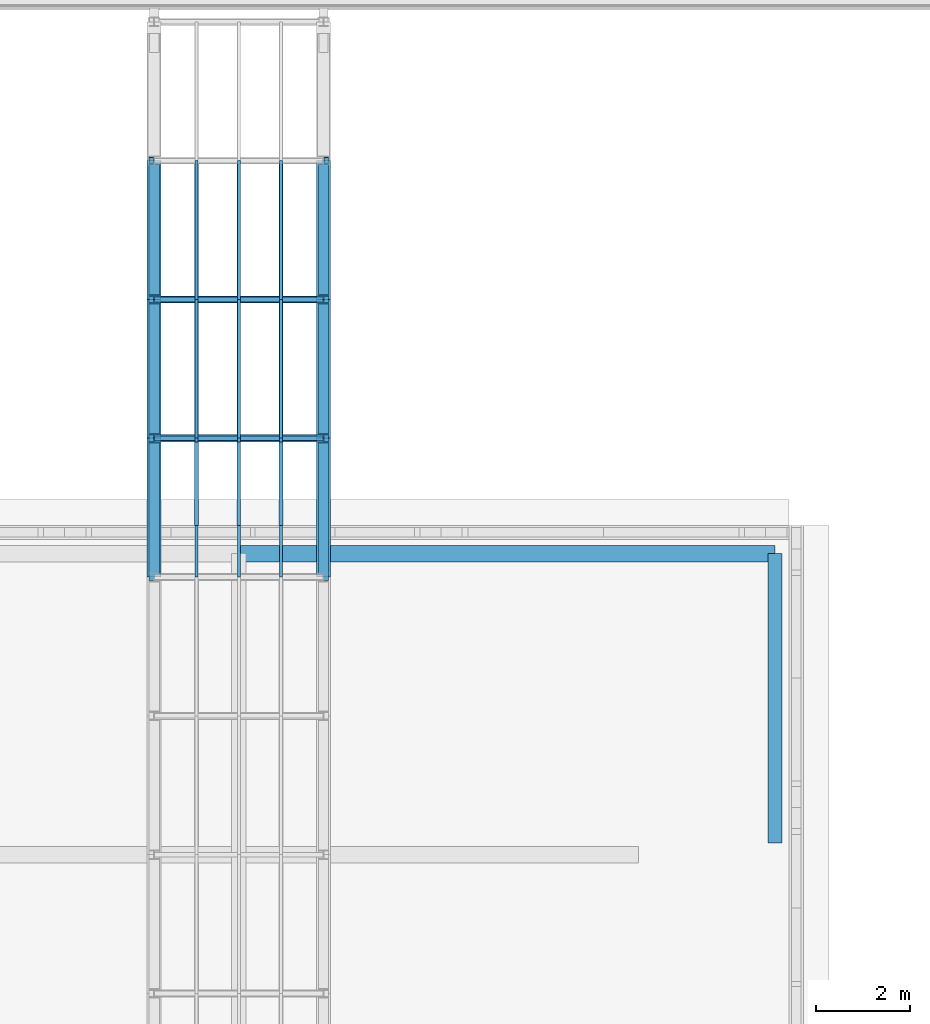
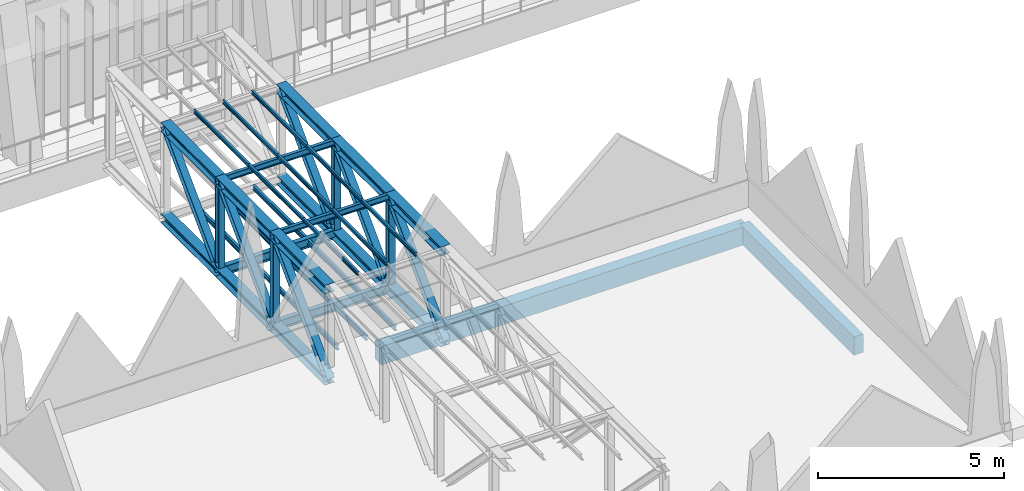
# One storey, part 66 of 141: 33 members, 13 beams.
"""IFC4 building model written with IfcOpenShell, lengths in metres."""

from ifc_helpers import new_model, si_unit, direction, frame, origin, origin_2d, place, context, subcontext, project, spatial, rectangle, i_section, extrude, material, material_profile, profile_set, type_object, element, save


model = new_model("IFC4")

# Units and contexts
model_context = context("Model", 3, precision=1e-05, world=origin(), true_north=direction((0.0, 1.0)))
body_context = subcontext(model_context, "Body", "Model", "MODEL_VIEW")
ifc_project = project(units=[si_unit("LENGTHUNIT", "METRE"), si_unit("AREAUNIT", "SQUARE_METRE"), si_unit("VOLUMEUNIT", "CUBIC_METRE"), si_unit("PLANEANGLEUNIT", "RADIAN"), si_unit("MASSUNIT", "GRAM", prefix="KILO")], contexts=[model_context])

# Site, building, storey
site_placement = place(None, origin())
site = spatial("IfcSite", under=ifc_project, at=site_placement, CompositionType="ELEMENT")
building_placement = place(site_placement, origin())
building = spatial("IfcBuilding", under=site, at=building_placement, Name="Lantern Court Media Centre", CompositionType="ELEMENT")
storey_placement = place(building_placement, frame((0.0, 0.0, 9.60009765625)))
storey = spatial("IfcBuildingStorey", under=building, at=storey_placement, Name="L02", CompositionType="ELEMENT", Elevation=9.60009765625)

# Members
ifc_material_1 = material(Name="Steel S355J2 (EN 10025-2)", Category="steel")
ifc_material_profile_1 = material_profile(ifc_material_1, i_section(OverallWidth=0.300048828125, OverallDepth=0.2900390625, WebThickness=0.008544921875, FlangeThickness=0.013916015625, FilletRadius=0.027099609375, at=origin_2d()), Name="HEA 300")
ifc_profile_set_1 = profile_set([ifc_material_profile_1], Name="Steel S355J2 (EN 10025-2)")
member_type_1 = type_object("IfcMemberType", Name="Court bridge chord HEA 300", PredefinedType="CHORD", material=ifc_profile_set_1)
for number, where, z_axis, x_axis, name in (
    (1, (50.199951171875, 85.89990234375, -0.25), (0.0, 1.0, 0.0), (-1.0, 0.0, 0.0), "Court bridge truss 1 bottom chord 9"),
    (2, (50.199951171875, 85.89990234375, 2.75), (0.0, 1.0, 0.0), (-1.0, 0.0, 0.0), "Court bridge truss 1 top chord 9"),
):
    element("IfcMember", number, at=place(storey_placement, frame(where, z_axis=z_axis, x_axis=x_axis)), inside=storey, type_object=member_type_1, Name=name, PredefinedType="CHORD", context=body_context, shape_type="SweptSolid", body=[
        extrude(i_section(OverallWidth=0.300048828125, OverallDepth=0.2900390625, WebThickness=0.008544921875, FlangeThickness=0.013916015625, FilletRadius=0.027099609375, at=origin_2d()), origin(), (0.0, 0.0, 1.0), 2.9501953125),
    ])
for number, where, z_axis, x_axis, name in (
    (3, (50.199951171875, 88.85009765625, -0.25), (0.0, 1.0, 0.0), (-1.0, 0.0, 0.0), "Court bridge truss 1 bottom chord 10"),
    (4, (50.199951171875, 88.85009765625, 2.75), (0.0, 1.0, 0.0), (-1.0, 0.0, 0.0), "Court bridge truss 1 top chord 10"),
    (5, (50.199951171875, 91.800048828125, -0.25), (0.0, 1.0, 0.0), (-1.0, 0.0, 0.0), "Court bridge truss 1 bottom chord 11"),
    (6, (50.199951171875, 91.800048828125, 2.75), (0.0, 1.0, 0.0), (-1.0, 0.0, 0.0), "Court bridge truss 1 top chord 11"),
):
    element("IfcMember", number, at=place(storey_placement, frame(where, z_axis=z_axis, x_axis=x_axis)), inside=storey, type_object=member_type_1, Name=name, PredefinedType="CHORD", context=body_context, shape_type="SweptSolid", body=[
        extrude(i_section(OverallWidth=0.300048828125, OverallDepth=0.2900390625, WebThickness=0.008544921875, FlangeThickness=0.013916015625, FilletRadius=0.027099609375, at=origin_2d()), origin(), (0.0, 0.0, 1.0), 2.949951171875),
    ])
for number, where, z_axis, x_axis, name in (
    (7, (53.800048828125, 85.89990234375, -0.25), (0.0, 1.0, 0.0), (-1.0, 0.0, 0.0), "Court bridge truss 2 bottom chord 9"),
    (8, (53.800048828125, 85.89990234375, 2.75), (0.0, 1.0, 0.0), (-1.0, 0.0, 0.0), "Court bridge truss 2 top chord 9"),
):
    element("IfcMember", number, at=place(storey_placement, frame(where, z_axis=z_axis, x_axis=x_axis)), inside=storey, type_object=member_type_1, Name=name, PredefinedType="CHORD", context=body_context, shape_type="SweptSolid", body=[
        extrude(i_section(OverallWidth=0.300048828125, OverallDepth=0.2900390625, WebThickness=0.008544921875, FlangeThickness=0.013916015625, FilletRadius=0.027099609375, at=origin_2d()), origin(), (0.0, 0.0, 1.0), 2.9501953125),
    ])
for number, where, z_axis, x_axis, name in (
    (9, (53.800048828125, 88.85009765625, -0.25), (0.0, 1.0, 0.0), (-1.0, 0.0, 0.0), "Court bridge truss 2 bottom chord 10"),
    (10, (53.800048828125, 88.85009765625, 2.75), (0.0, 1.0, 0.0), (-1.0, 0.0, 0.0), "Court bridge truss 2 top chord 10"),
    (11, (53.800048828125, 91.800048828125, -0.25), (0.0, 1.0, 0.0), (-1.0, 0.0, 0.0), "Court bridge truss 2 bottom chord 11"),
    (12, (53.800048828125, 91.800048828125, 2.75), (0.0, 1.0, 0.0), (-1.0, 0.0, 0.0), "Court bridge truss 2 top chord 11"),
):
    element("IfcMember", number, at=place(storey_placement, frame(where, z_axis=z_axis, x_axis=x_axis)), inside=storey, type_object=member_type_1, Name=name, PredefinedType="CHORD", context=body_context, shape_type="SweptSolid", body=[
        extrude(i_section(OverallWidth=0.300048828125, OverallDepth=0.2900390625, WebThickness=0.008544921875, FlangeThickness=0.013916015625, FilletRadius=0.027099609375, at=origin_2d()), origin(), (0.0, 0.0, 1.0), 2.949951171875),
    ])
ifc_material_profile_2 = material_profile(ifc_material_1, i_section(OverallWidth=0.219970703125, OverallDepth=0.2099609375, WebThickness=0.007080078125, FlangeThickness=0.010986328125, FilletRadius=0.01806640625, at=origin_2d()), Name="HEA 220")
ifc_profile_set_2 = profile_set([ifc_material_profile_2], Name="Steel S355J2 (EN 10025-2)")
member_type_2 = type_object("IfcMemberType", Name="Court bridge diagonal HEA 220", PredefinedType="BRACE", material=ifc_profile_set_2)
for number, where, z_axis, x_axis, name in (
    (13, (50.199951171875, 85.89990234375, -0.25), (0.0, 0.701163551131, 0.713000473047), (-1.0, 0.0, 0.0), "Court bridge truss 1 diagonal 9"),
    (14, (50.199951171875, 88.85009765625, -0.25), (0.0, 0.701134051624, 0.713029481615), (-1.0, 0.0, 0.0), "Court bridge truss 1 diagonal 10"),
    (15, (50.199951171875, 91.800048828125, -0.25), (0.0, 0.701134051624, 0.713029481615), (-1.0, 0.0, 0.0), "Court bridge truss 1 diagonal 11"),
    (16, (53.800048828125, 85.89990234375, -0.25), (0.0, 0.701163551131, 0.713000473047), (-1.0, 0.0, 0.0), "Court bridge truss 2 diagonal 9"),
    (17, (53.800048828125, 88.85009765625, -0.25), (0.0, 0.701134051624, 0.713029481615), (-1.0, 0.0, 0.0), "Court bridge truss 2 diagonal 10"),
    (18, (53.800048828125, 91.800048828125, -0.25), (0.0, 0.701134051624, 0.713029481615), (-1.0, 0.0, 0.0), "Court bridge truss 2 diagonal 11"),
):
    element("IfcMember", number, at=place(storey_placement, frame(where, z_axis=z_axis, x_axis=x_axis)), inside=storey, type_object=member_type_2, Name=name, PredefinedType="BRACE", context=body_context, shape_type="SweptSolid", body=[
        extrude(i_section(OverallWidth=0.219970703125, OverallDepth=0.2099609375, WebThickness=0.007080078125, FlangeThickness=0.010986328125, FilletRadius=0.01806640625, at=origin_2d()), origin(), (0.0, 0.0, 1.0), 4.20751953125),
    ])

# Beams
ifc_material_profile_3 = material_profile(ifc_material_1, i_section(OverallWidth=0.14990234375, OverallDepth=0.300048828125, WebThickness=0.007080078125, FlangeThickness=0.0107421875, FilletRadius=0.014892578125, at=origin_2d()), Name="IPE 300")
ifc_profile_set_3 = profile_set([ifc_material_profile_3], Name="Steel S355J2 (EN 10025-2)")
beam_type_1 = type_object("IfcBeamType", Name="Court bridge floor beam IPE 300", PredefinedType="BEAM", material=ifc_profile_set_3)
for number, where, z_axis, x_axis, name in (
    (19, (50.199951171875, 88.85009765625, -0.25), (1.0, 0.0, 0.0), (0.0, 1.0, 0.0), "Court bridge floor beam 10"),
    (20, (50.199951171875, 91.800048828125, -0.25), (1.0, 0.0, 0.0), (0.0, 1.0, 0.0), "Court bridge floor beam 11"),
):
    element("IfcBeam", number, at=place(storey_placement, frame(where, z_axis=z_axis, x_axis=x_axis)), inside=storey, type_object=beam_type_1, Name=name, PredefinedType="BEAM", context=body_context, shape_type="SweptSolid", body=[
        extrude(i_section(OverallWidth=0.14990234375, OverallDepth=0.300048828125, WebThickness=0.007080078125, FlangeThickness=0.0107421875, FilletRadius=0.014892578125, at=origin_2d()), origin(), (0.0, 0.0, 1.0), 3.60009765625),
    ])
ifc_material_profile_4 = material_profile(ifc_material_1, i_section(OverallWidth=0.08203125, OverallDepth=0.159912109375, WebThickness=0.0048828125, FlangeThickness=0.00732421875, FilletRadius=0.009033203125, at=origin_2d()), Name="IPE 160")
ifc_profile_set_4 = profile_set([ifc_material_profile_4], Name="Steel S355J2 (EN 10025-2)")
beam_type_2 = type_object("IfcBeamType", Name="Court bridge joist IPE 160", PredefinedType="JOIST", material=ifc_profile_set_4)
beam_1_placement = place(storey_placement, frame((51.10009765625, 87.0, -0.18017578125), z_axis=(0.0, 1.0, 0.0), x_axis=(-1.0, 0.0, 0.0)))
element("IfcBeam", 21, at=beam_1_placement, inside=storey, type_object=beam_type_2, Name="Court bridge joist 1-9", PredefinedType="JOIST", context=body_context, shape_type="SweptSolid", body=[
    extrude(i_section(OverallWidth=0.08203125, OverallDepth=0.159912109375, WebThickness=0.0048828125, FlangeThickness=0.00732421875, FilletRadius=0.009033203125, at=origin_2d()), origin(), (0.0, 0.0, 1.0), 1.77490234375),
])
for number, where, z_axis, x_axis, name in (
    (22, (51.10009765625, 88.925048828125, -0.18017578125), (0.0, 1.0, 0.0), (-1.0, 0.0, 0.0), "Court bridge joist 1-10"),
    (23, (51.10009765625, 91.875, -0.18017578125), (0.0, 1.0, 0.0), (-1.0, 0.0, 0.0), "Court bridge joist 1-11"),
):
    element("IfcBeam", number, at=place(storey_placement, frame(where, z_axis=z_axis, x_axis=x_axis)), inside=storey, type_object=beam_type_2, Name=name, PredefinedType="JOIST", context=body_context, shape_type="SweptSolid", body=[
        extrude(i_section(OverallWidth=0.08203125, OverallDepth=0.159912109375, WebThickness=0.0048828125, FlangeThickness=0.00732421875, FilletRadius=0.009033203125, at=origin_2d()), origin(), (0.0, 0.0, 1.0), 2.800048828125),
    ])
beam_2_placement = place(storey_placement, frame((52.0, 87.0, -0.18017578125), z_axis=(0.0, 1.0, 0.0), x_axis=(-1.0, 0.0, 0.0)))
element("IfcBeam", 24, at=beam_2_placement, inside=storey, type_object=beam_type_2, Name="Court bridge joist 2-9", PredefinedType="JOIST", context=body_context, shape_type="SweptSolid", body=[
    extrude(i_section(OverallWidth=0.08203125, OverallDepth=0.159912109375, WebThickness=0.0048828125, FlangeThickness=0.00732421875, FilletRadius=0.009033203125, at=origin_2d()), origin(), (0.0, 0.0, 1.0), 1.77490234375),
])
for number, where, z_axis, x_axis, name in (
    (25, (52.0, 88.925048828125, -0.18017578125), (0.0, 1.0, 0.0), (-1.0, 0.0, 0.0), "Court bridge joist 2-10"),
    (26, (52.0, 91.875, -0.18017578125), (0.0, 1.0, 0.0), (-1.0, 0.0, 0.0), "Court bridge joist 2-11"),
):
    element("IfcBeam", number, at=place(storey_placement, frame(where, z_axis=z_axis, x_axis=x_axis)), inside=storey, type_object=beam_type_2, Name=name, PredefinedType="JOIST", context=body_context, shape_type="SweptSolid", body=[
        extrude(i_section(OverallWidth=0.08203125, OverallDepth=0.159912109375, WebThickness=0.0048828125, FlangeThickness=0.00732421875, FilletRadius=0.009033203125, at=origin_2d()), origin(), (0.0, 0.0, 1.0), 2.800048828125),
    ])
beam_3_placement = place(storey_placement, frame((52.89990234375, 87.0, -0.18017578125), z_axis=(0.0, 1.0, 0.0), x_axis=(-1.0, 0.0, 0.0)))
element("IfcBeam", 27, at=beam_3_placement, inside=storey, type_object=beam_type_2, Name="Court bridge joist 3-9", PredefinedType="JOIST", context=body_context, shape_type="SweptSolid", body=[
    extrude(i_section(OverallWidth=0.08203125, OverallDepth=0.159912109375, WebThickness=0.0048828125, FlangeThickness=0.00732421875, FilletRadius=0.009033203125, at=origin_2d()), origin(), (0.0, 0.0, 1.0), 1.77490234375),
])
for number, where, z_axis, x_axis, name in (
    (28, (52.89990234375, 88.925048828125, -0.18017578125), (0.0, 1.0, 0.0), (-1.0, 0.0, 0.0), "Court bridge joist 3-10"),
    (29, (52.89990234375, 91.875, -0.18017578125), (0.0, 1.0, 0.0), (-1.0, 0.0, 0.0), "Court bridge joist 3-11"),
):
    element("IfcBeam", number, at=place(storey_placement, frame(where, z_axis=z_axis, x_axis=x_axis)), inside=storey, type_object=beam_type_2, Name=name, PredefinedType="JOIST", context=body_context, shape_type="SweptSolid", body=[
        extrude(i_section(OverallWidth=0.08203125, OverallDepth=0.159912109375, WebThickness=0.0048828125, FlangeThickness=0.00732421875, FilletRadius=0.009033203125, at=origin_2d()), origin(), (0.0, 0.0, 1.0), 2.800048828125),
    ])

# Members
ifc_material_profile_5 = material_profile(ifc_material_1, i_section(OverallWidth=0.06396484375, OverallDepth=0.1201171875, WebThickness=0.00439453125, FlangeThickness=0.00634765625, FilletRadius=0.007080078125, at=origin_2d()), Name="IPE 120")
ifc_profile_set_5 = profile_set([ifc_material_profile_5], Name="Steel S355J2 (EN 10025-2)")
member_type_3 = type_object("IfcMemberType", Name="Court bridge purlin IPE 120", PredefinedType="PURLIN", material=ifc_profile_set_5)
member_1_placement = place(storey_placement, frame((51.10009765625, 85.89990234375, 2.909912109375), z_axis=(0.0, 1.0, 0.0), x_axis=(-1.0, 0.0, 0.0)))
element("IfcMember", 30, at=member_1_placement, inside=storey, type_object=member_type_3, Name="Court bridge purlin 1-9", PredefinedType="PURLIN", context=body_context, shape_type="SweptSolid", body=[
    extrude(i_section(OverallWidth=0.06396484375, OverallDepth=0.1201171875, WebThickness=0.00439453125, FlangeThickness=0.00634765625, FilletRadius=0.007080078125, at=origin_2d()), origin(), (0.0, 0.0, 1.0), 2.9501953125),
])
for number, where, z_axis, x_axis, name in (
    (31, (51.10009765625, 88.85009765625, 2.909912109375), (0.0, 1.0, 0.0), (-1.0, 0.0, 0.0), "Court bridge purlin 1-10"),
    (32, (51.10009765625, 91.800048828125, 2.909912109375), (0.0, 1.0, 0.0), (-1.0, 0.0, 0.0), "Court bridge purlin 1-11"),
):
    element("IfcMember", number, at=place(storey_placement, frame(where, z_axis=z_axis, x_axis=x_axis)), inside=storey, type_object=member_type_3, Name=name, PredefinedType="PURLIN", context=body_context, shape_type="SweptSolid", body=[
        extrude(i_section(OverallWidth=0.06396484375, OverallDepth=0.1201171875, WebThickness=0.00439453125, FlangeThickness=0.00634765625, FilletRadius=0.007080078125, at=origin_2d()), origin(), (0.0, 0.0, 1.0), 2.949951171875),
    ])
member_2_placement = place(storey_placement, frame((52.0, 85.89990234375, 2.909912109375), z_axis=(0.0, 1.0, 0.0), x_axis=(-1.0, 0.0, 0.0)))
element("IfcMember", 33, at=member_2_placement, inside=storey, type_object=member_type_3, Name="Court bridge purlin 2-9", PredefinedType="PURLIN", context=body_context, shape_type="SweptSolid", body=[
    extrude(i_section(OverallWidth=0.06396484375, OverallDepth=0.1201171875, WebThickness=0.00439453125, FlangeThickness=0.00634765625, FilletRadius=0.007080078125, at=origin_2d()), origin(), (0.0, 0.0, 1.0), 2.9501953125),
])
for number, where, z_axis, x_axis, name in (
    (34, (52.0, 88.85009765625, 2.909912109375), (0.0, 1.0, 0.0), (-1.0, 0.0, 0.0), "Court bridge purlin 2-10"),
    (35, (52.0, 91.800048828125, 2.909912109375), (0.0, 1.0, 0.0), (-1.0, 0.0, 0.0), "Court bridge purlin 2-11"),
):
    element("IfcMember", number, at=place(storey_placement, frame(where, z_axis=z_axis, x_axis=x_axis)), inside=storey, type_object=member_type_3, Name=name, PredefinedType="PURLIN", context=body_context, shape_type="SweptSolid", body=[
        extrude(i_section(OverallWidth=0.06396484375, OverallDepth=0.1201171875, WebThickness=0.00439453125, FlangeThickness=0.00634765625, FilletRadius=0.007080078125, at=origin_2d()), origin(), (0.0, 0.0, 1.0), 2.949951171875),
    ])
member_3_placement = place(storey_placement, frame((52.89990234375, 85.89990234375, 2.909912109375), z_axis=(0.0, 1.0, 0.0), x_axis=(-1.0, 0.0, 0.0)))
element("IfcMember", 36, at=member_3_placement, inside=storey, type_object=member_type_3, Name="Court bridge purlin 3-9", PredefinedType="PURLIN", context=body_context, shape_type="SweptSolid", body=[
    extrude(i_section(OverallWidth=0.06396484375, OverallDepth=0.1201171875, WebThickness=0.00439453125, FlangeThickness=0.00634765625, FilletRadius=0.007080078125, at=origin_2d()), origin(), (0.0, 0.0, 1.0), 2.9501953125),
])
for number, where, z_axis, x_axis, name in (
    (37, (52.89990234375, 88.85009765625, 2.909912109375), (0.0, 1.0, 0.0), (-1.0, 0.0, 0.0), "Court bridge purlin 3-10"),
    (38, (52.89990234375, 91.800048828125, 2.909912109375), (0.0, 1.0, 0.0), (-1.0, 0.0, 0.0), "Court bridge purlin 3-11"),
):
    element("IfcMember", number, at=place(storey_placement, frame(where, z_axis=z_axis, x_axis=x_axis)), inside=storey, type_object=member_type_3, Name=name, PredefinedType="PURLIN", context=body_context, shape_type="SweptSolid", body=[
        extrude(i_section(OverallWidth=0.06396484375, OverallDepth=0.1201171875, WebThickness=0.00439453125, FlangeThickness=0.00634765625, FilletRadius=0.007080078125, at=origin_2d()), origin(), (0.0, 0.0, 1.0), 2.949951171875),
    ])
ifc_material_profile_6 = material_profile(ifc_material_1, i_section(OverallWidth=0.10009765625, OverallDepth=0.199951171875, WebThickness=0.005615234375, FlangeThickness=0.008544921875, FilletRadius=0.011962890625, at=origin_2d()), Name="IPE 200")
ifc_profile_set_6 = profile_set([ifc_material_profile_6], Name="Steel S355J2 (EN 10025-2)")
member_type_4 = type_object("IfcMemberType", Name="Court bridge roof strut IPE 200", PredefinedType="STRUT", material=ifc_profile_set_6)
for number, where, z_axis, x_axis, name in (
    (39, (50.199951171875, 88.85009765625, 2.75), (1.0, 0.0, 0.0), (0.0, 1.0, 0.0), "Court bridge roof strut 10"),
    (40, (50.199951171875, 91.800048828125, 2.75), (1.0, 0.0, 0.0), (0.0, 1.0, 0.0), "Court bridge roof strut 11"),
):
    element("IfcMember", number, at=place(storey_placement, frame(where, z_axis=z_axis, x_axis=x_axis)), inside=storey, type_object=member_type_4, Name=name, PredefinedType="STRUT", context=body_context, shape_type="SweptSolid", body=[
        extrude(i_section(OverallWidth=0.10009765625, OverallDepth=0.199951171875, WebThickness=0.005615234375, FlangeThickness=0.008544921875, FilletRadius=0.011962890625, at=origin_2d()), origin(), (0.0, 0.0, 1.0), 3.60009765625),
    ])
ifc_material_profile_7 = material_profile(ifc_material_1, i_section(OverallWidth=0.199951171875, OverallDepth=0.18994140625, WebThickness=0.006591796875, FlangeThickness=0.010009765625, FilletRadius=0.01806640625, at=origin_2d()), Name="HEA 200")
ifc_profile_set_7 = profile_set([ifc_material_profile_7], Name="Steel S355J2 (EN 10025-2)")
member_type_5 = type_object("IfcMemberType", Name="Court bridge vertical HEA 200", PredefinedType="POST", material=ifc_profile_set_7)
for number, where, z_axis, x_axis, name in (
    (41, (50.199951171875, 88.85009765625, -0.25), (0.0, 0.0, 1.0), (1.0, 0.0, 0.0), "Court bridge truss 1 vertical 10"),
    (42, (50.199951171875, 91.800048828125, -0.25), (0.0, 0.0, 1.0), (1.0, 0.0, 0.0), "Court bridge truss 1 vertical 11"),
    (43, (53.800048828125, 88.85009765625, -0.25), (0.0, 0.0, 1.0), (1.0, 0.0, 0.0), "Court bridge truss 2 vertical 10"),
    (44, (53.800048828125, 91.800048828125, -0.25), (0.0, 0.0, 1.0), (1.0, 0.0, 0.0), "Court bridge truss 2 vertical 11"),
):
    element("IfcMember", number, at=place(storey_placement, frame(where, z_axis=z_axis, x_axis=x_axis)), inside=storey, type_object=member_type_5, Name=name, PredefinedType="POST", context=body_context, shape_type="SweptSolid", body=[
        extrude(i_section(OverallWidth=0.199951171875, OverallDepth=0.18994140625, WebThickness=0.006591796875, FlangeThickness=0.010009765625, FilletRadius=0.01806640625, at=origin_2d()), origin(), (0.0, 0.0, 1.0), 3.0),
    ])

# Beams
ifc_material_2 = material(Name="Concrete C35", Category="concrete")
ifc_material_profile_8 = material_profile(ifc_material_2, rectangle(XDim=0.300048828125, YDim=0.60009765625, at=origin_2d()), Name="RC 300x600")
ifc_profile_set_8 = profile_set([ifc_material_profile_8], Name="Concrete C35")
beam_type_3 = type_object("IfcBeamType", Name="RC BEAM 300x600", PredefinedType="BEAM", material=ifc_profile_set_8)
beam_4_placement = place(storey_placement, frame((63.39990234375, 80.25, -0.300048828125), z_axis=(0.0, 1.0, 0.0), x_axis=(-1.0, 0.0, 0.0)))
element("IfcBeam", 45, at=beam_4_placement, inside=storey, type_object=beam_type_3, Name="PB-PRESS-L02-Y2-1", PredefinedType="BEAM", context=body_context, shape_type="SweptSolid", body=[
    extrude(rectangle(XDim=0.300048828125, YDim=0.60009765625, at=origin_2d()), origin(), (0.0, 0.0, 1.0), 6.14990234375),
])
ifc_material_profile_9 = material_profile(ifc_material_2, rectangle(XDim=0.35009765625, YDim=0.60009765625, at=origin_2d()), Name="RC 350x600")
ifc_profile_set_9 = profile_set([ifc_material_profile_9], Name="Concrete C35")
beam_type_4 = type_object("IfcBeamType", Name="RC BEAM 350x600", PredefinedType="BEAM", material=ifc_profile_set_9)
beam_5_placement = place(storey_placement, frame((52.0, 86.39990234375, -0.300048828125), z_axis=(1.0, 0.0, 0.0), x_axis=(0.0, 1.0, 0.0)))
element("IfcBeam", 46, at=beam_5_placement, inside=storey, type_object=beam_type_4, Name="PB-PRESS-L02-X2-1", PredefinedType="BEAM", context=body_context, shape_type="SweptSolid", body=[
    extrude(rectangle(XDim=0.35009765625, YDim=0.60009765625, at=origin_2d()), origin(), (0.0, 0.0, 1.0), 11.39990234375),
])

save(model, "model.ifc")
